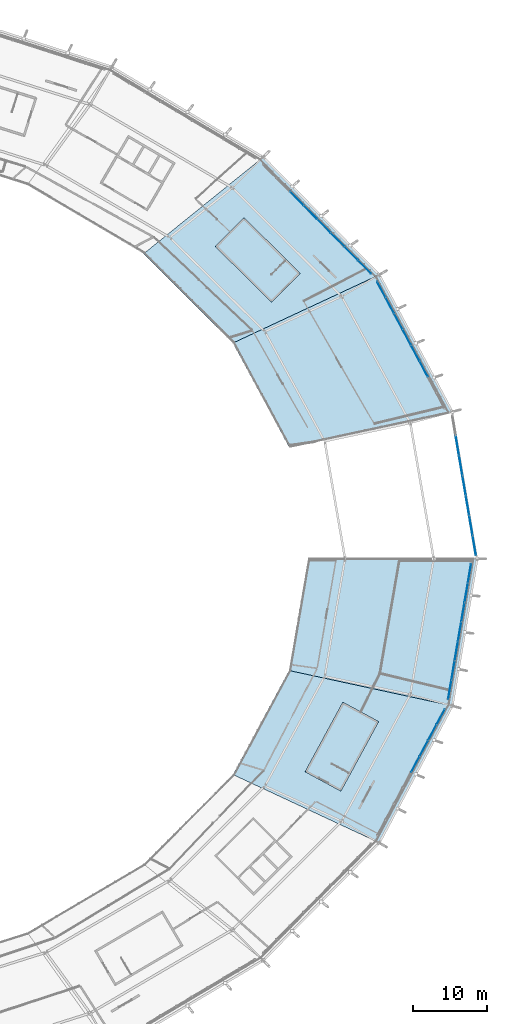
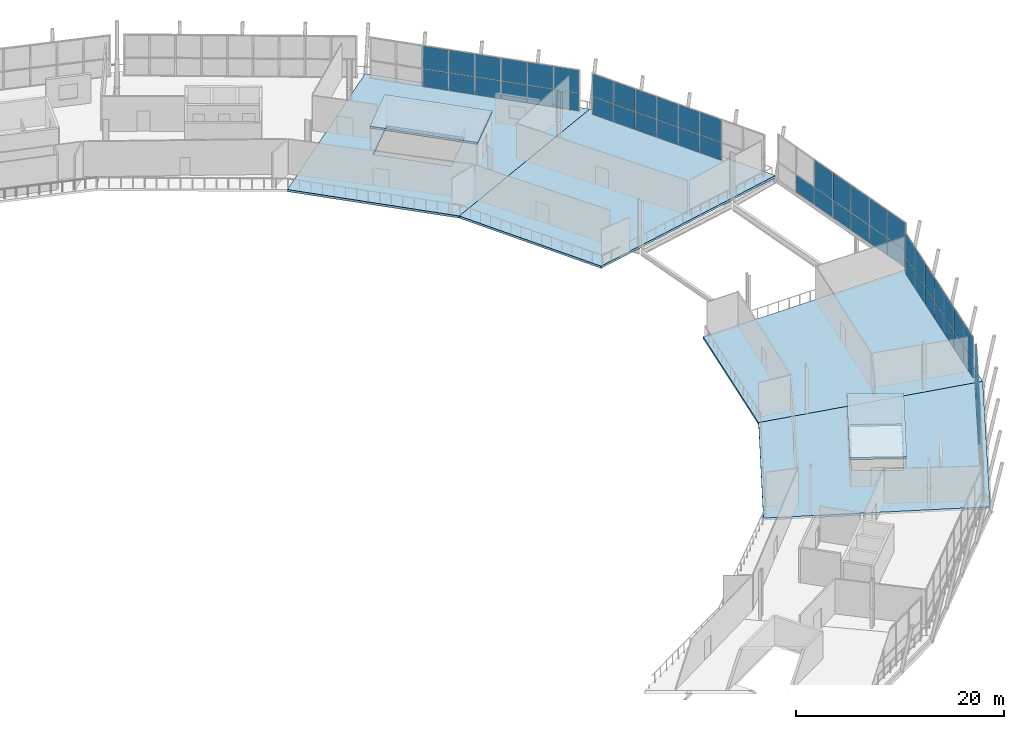
# One storey, part 58 of 99: 57 plates, 6 slabs, 5 elements without a shape of their own.
"""IFC4 building model written with IfcOpenShell, lengths in metres."""

from ifc_helpers import new_model, si_unit, direction, frame, origin, origin_2d, place, context, subcontext, project, spatial, polyline, rectangle, outline, extrude, material, layer, layer_set, type_object, element, aggregate, save


model = new_model("IFC4")

# Units and contexts
model_context = context("Model", 3, precision=1e-05, world=origin(), true_north=direction((0.0, 1.0)))
body_context = subcontext(model_context, "Body", "Model", "MODEL_VIEW")
ifc_project = project(units=[si_unit("LENGTHUNIT", "METRE"), si_unit("AREAUNIT", "SQUARE_METRE"), si_unit("VOLUMEUNIT", "CUBIC_METRE"), si_unit("PLANEANGLEUNIT", "RADIAN"), si_unit("MASSUNIT", "GRAM", prefix="KILO")], contexts=[model_context])

# Site, building, storey
site_placement = place(None, origin())
site = spatial("IfcSite", under=ifc_project, at=site_placement, CompositionType="ELEMENT")
building_placement = place(site_placement, origin())
building = spatial("IfcBuilding", under=site, at=building_placement, Name="Zlatoyarsky Gate Stadium", CompositionType="ELEMENT")
storey_placement = place(building_placement, frame((0.0, 0.0, 26.199951171875)))
storey = spatial("IfcBuildingStorey", under=building, at=storey_placement, Name="L05", CompositionType="ELEMENT", Elevation=26.199951171875)

# Curtain wall, plates
ifc_material_1 = material(Name="Thermally broken anodised aluminium curtain wall", Category="aluminium")
curtain_wall_type_1 = type_object("IfcCurtainWallType", Name="MONUMENTAL ARCHED GATE GLAZING UPPER", PredefinedType="USERDEFINED", material=ifc_material_1)
curtain_wall_1_placement = place(storey_placement, origin())
curtain_wall_1 = element("IfcCurtainWall", 1, at=curtain_wall_1_placement, inside=storey, type_object=curtain_wall_type_1, Name="Curtain wall CW-L05-00", ObjectType="ARCHED GATE GLAZING", PredefinedType="USERDEFINED")
ifc_material_2 = material(Name="Triple-glazed argon low-e architectural glass", Category="glass")
ifc_layer_1 = layer(ifc_material_2, 0.0458984375)
ifc_layer_set_1 = layer_set([ifc_layer_1], Name="Triple-glazed argon low-e architectural glass")
plate_type_1 = type_object("IfcPlateType", Name="ACOUSTIC LAMINATED GATE GLAZING PANEL 46", PredefinedType="CURTAIN_PANEL", material=ifc_layer_set_1)
plate_1_placement = place(storey_placement, frame((209.490234375, 81.818603515625, -0.18505859375), z_axis=(0.0, 0.0, 1.0), x_axis=(-0.166995052945, 0.985957733522, 0.0)))
plate_1 = element("IfcPlate", 2, at=plate_1_placement, type_object=plate_type_1, Name="CW-AG2 panel 1.1", PredefinedType="CURTAIN_PANEL", context=body_context, shape_type="SweptSolid", body=[
    extrude(rectangle(XDim=2.638916015625, YDim=0.0458984375, at=origin_2d()), origin(), (0.0, 0.0, 1.0), 2.03759765625),
])
plate_2_placement = place(storey_placement, frame((209.490234375, 81.818603515625, 1.927490234375), z_axis=(0.0, 0.0, 1.0), x_axis=(-0.166995052945, 0.985957733522, 0.0)))
plate_2 = element("IfcPlate", 3, at=plate_2_placement, type_object=plate_type_1, Name="CW-AG2 panel 1.2", PredefinedType="CURTAIN_PANEL", context=body_context, shape_type="SweptSolid", body=[
    extrude(rectangle(XDim=2.638916015625, YDim=0.0458984375, at=origin_2d()), origin(), (0.0, 0.0, 1.0), 3.1474609375),
])
plate_3_placement = place(storey_placement, frame((209.03369140625, 84.512939453125, -0.18505859375), z_axis=(0.0, 0.0, 1.0), x_axis=(-0.166995052945, 0.985957733522, 0.0)))
plate_3 = element("IfcPlate", 4, at=plate_3_placement, type_object=plate_type_1, Name="CW-AG2 panel 2.1", PredefinedType="CURTAIN_PANEL", context=body_context, shape_type="SweptSolid", body=[
    extrude(rectangle(XDim=2.676513671875, YDim=0.0458984375, at=origin_2d()), origin(), (0.0, 0.0, 1.0), 2.03759765625),
])
plate_4_placement = place(storey_placement, frame((209.03369140625, 84.512939453125, 1.927490234375), z_axis=(0.0, 0.0, 1.0), x_axis=(-0.166995052945, 0.985957733522, 0.0)))
plate_4 = element("IfcPlate", 5, at=plate_4_placement, type_object=plate_type_1, Name="CW-AG2 panel 2.2", PredefinedType="CURTAIN_PANEL", context=body_context, shape_type="SweptSolid", body=[
    extrude(rectangle(XDim=2.676513671875, YDim=0.0458984375, at=origin_2d()), origin(), (0.0, 0.0, 1.0), 3.1474609375),
])
plate_5_placement = place(storey_placement, frame((208.57421875, 87.2255859375, -0.18505859375), z_axis=(0.0, 0.0, 1.0), x_axis=(-0.166995052945, 0.985957733522, 0.0)))
plate_5 = element("IfcPlate", 6, at=plate_5_placement, type_object=plate_type_1, Name="CW-AG2 panel 3.1", PredefinedType="CURTAIN_PANEL", context=body_context, shape_type="SweptSolid", body=[
    extrude(rectangle(XDim=2.676513671875, YDim=0.0458984375, at=origin_2d()), origin(), (0.0, 0.0, 1.0), 2.03759765625),
])
plate_6_placement = place(storey_placement, frame((208.57421875, 87.2255859375, 1.927490234375), z_axis=(0.0, 0.0, 1.0), x_axis=(-0.166995052945, 0.985957733522, 0.0)))
plate_6 = element("IfcPlate", 7, at=plate_6_placement, type_object=plate_type_1, Name="CW-AG2 panel 3.2", PredefinedType="CURTAIN_PANEL", context=body_context, shape_type="SweptSolid", body=[
    extrude(rectangle(XDim=2.676513671875, YDim=0.0458984375, at=origin_2d()), origin(), (0.0, 0.0, 1.0), 3.1474609375),
])
plate_7_placement = place(storey_placement, frame((208.11474609375, 89.9384765625, -0.18505859375), z_axis=(0.0, 0.0, 1.0), x_axis=(-0.166995052945, 0.985957733522, 0.0)))
plate_7 = element("IfcPlate", 8, at=plate_7_placement, type_object=plate_type_1, Name="CW-AG2 panel 4.1", PredefinedType="CURTAIN_PANEL", context=body_context, shape_type="SweptSolid", body=[
    extrude(rectangle(XDim=2.676513671875, YDim=0.0458984375, at=origin_2d()), origin(), (0.0, 0.0, 1.0), 2.03759765625),
])
plate_8_placement = place(storey_placement, frame((208.11474609375, 89.9384765625, 1.927490234375), z_axis=(0.0, 0.0, 1.0), x_axis=(-0.166995052945, 0.985957733522, 0.0)))
plate_8 = element("IfcPlate", 9, at=plate_8_placement, type_object=plate_type_1, Name="CW-AG2 panel 4.2", PredefinedType="CURTAIN_PANEL", context=body_context, shape_type="SweptSolid", body=[
    extrude(rectangle(XDim=2.676513671875, YDim=0.0458984375, at=origin_2d()), origin(), (0.0, 0.0, 1.0), 3.1474609375),
])
plate_9_placement = place(storey_placement, frame((207.6552734375, 92.651123046875, -0.18505859375), z_axis=(0.0, 0.0, 1.0), x_axis=(-0.166995052945, 0.985957733522, 0.0)))
plate_9 = element("IfcPlate", 10, at=plate_9_placement, type_object=plate_type_1, Name="CW-AG2 panel 5.1", PredefinedType="CURTAIN_PANEL", context=body_context, shape_type="SweptSolid", body=[
    extrude(rectangle(XDim=2.676513671875, YDim=0.0458984375, at=origin_2d()), origin(), (0.0, 0.0, 1.0), 2.03759765625),
])
plate_10_placement = place(storey_placement, frame((207.6552734375, 92.651123046875, 1.927490234375), z_axis=(0.0, 0.0, 1.0), x_axis=(-0.166995052945, 0.985957733522, 0.0)))
plate_10 = element("IfcPlate", 11, at=plate_10_placement, type_object=plate_type_1, Name="CW-AG2 panel 5.2", PredefinedType="CURTAIN_PANEL", context=body_context, shape_type="SweptSolid", body=[
    extrude(rectangle(XDim=2.676513671875, YDim=0.0458984375, at=origin_2d()), origin(), (0.0, 0.0, 1.0), 3.1474609375),
])
plate_11_placement = place(storey_placement, frame((207.19580078125, 95.364013671875, -0.18505859375), z_axis=(0.0, 0.0, 1.0), x_axis=(-0.166995052945, 0.985957733522, 0.0)))
plate_11 = element("IfcPlate", 12, at=plate_11_placement, type_object=plate_type_1, Name="CW-AG2 panel 6.1", PredefinedType="CURTAIN_PANEL", context=body_context, shape_type="SweptSolid", body=[
    extrude(rectangle(XDim=2.676513671875, YDim=0.0458984375, at=origin_2d()), origin(), (0.0, 0.0, 1.0), 2.03759765625),
])
aggregate(curtain_wall_1, [plate_1, plate_2, plate_3, plate_4, plate_5, plate_6, plate_7, plate_8, plate_9, plate_10, plate_11])

# Slabs
ifc_material_3 = material(Name="Concrete C40/50", Category="concrete")
ifc_layer_2 = layer(ifc_material_3, 0.239990234375)
ifc_layer_set_2 = layer_set([ifc_layer_2], Name="Concrete C40/50")
slab_type_1 = type_object("IfcSlabType", Name="CONCRETE CORE TOP CAP SLAB 240", PredefinedType="ROOF", material=ifc_layer_set_2)
slab_1_placement = place(storey_placement, frame((0.0, 0.0, 3.199951171875)))
element("IfcSlab", 13, at=slab_1_placement, inside=storey, type_object=slab_type_1, Name="ST-02 stair headhouse roof cap", PredefinedType="ROOF", context=body_context, shape_type="SweptSolid", body=[
    extrude(outline(polyline([(185.91845703125, 118.6201171875), (178.333251953125, 126.1669921875), (174.4541015625, 122.26806640625), (182.039306640625, 114.72119140625), (185.91845703125, 118.6201171875)])), origin(), (0.0, 0.0, 1.0), 0.239990234375),
])
slab_2_placement = place(storey_placement, frame((0.0, 0.0, 3.199951171875)))
element("IfcSlab", 14, at=slab_2_placement, inside=storey, type_object=slab_type_1, Name="ST-12 stair headhouse roof cap", PredefinedType="ROOF", context=body_context, shape_type="SweptSolid", body=[
    extrude(outline(polyline([(191.43505859375, 48.561767578125), (196.537841796875, 57.966796875), (191.703369140625, 60.589599609375), (186.600830078125, 51.184814453125), (191.43505859375, 48.561767578125)])), origin(), (0.0, 0.0, 1.0), 0.239990234375),
])
ifc_layer_3 = layer(ifc_material_3, 0.260009765625)
ifc_layer_set_3 = layer_set([ifc_layer_3], Name="Concrete C40/50")
slab_type_2 = type_object("IfcSlabType", Name="CONCRETE SKYBOX SLAB 260", PredefinedType="FLOOR", material=ifc_layer_set_3)
slab_3_placement = place(storey_placement, frame((0.0, 0.0, -0.260009765625)))
element("IfcSlab", 15, at=slab_3_placement, inside=storey, type_object=slab_type_2, Name="L05 bowl sector 01 slab", PredefinedType="FLOOR", context=body_context, shape_type="SweptSolid", body=[
    extrude(outline(polyline([(176.81787109375, 109.199951171875), (196.630859375, 118.43896484375), (206.5087890625, 99.8974609375), (184.410400390625, 95.114990234375), (176.81787109375, 109.199951171875)])), origin(), (0.0, 0.0, 1.0), 0.260009765625),
])
slab_4_placement = place(storey_placement, frame((0.0, 0.0, -0.260009765625)))
element("IfcSlab", 16, at=slab_4_placement, inside=storey, type_object=slab_type_2, Name="L05 bowl sector 02 slab", PredefinedType="FLOOR", context=body_context, shape_type="SweptSolid", body=[
    extrude(outline(polyline([(164.739990234375, 121.294921875), (180.91748046875, 134.361083984375), (196.630859375, 118.43896484375), (176.81787109375, 109.199951171875), (164.739990234375, 121.294921875)]), holes=[polyline([(178.334228515625, 125.8134765625), (174.8076171875, 122.268798828125), (180.3017578125, 116.802734375), (183.828125, 120.347412109375), (178.334228515625, 125.8134765625)])]), origin(), (0.0, 0.0, 1.0), 0.260009765625),
])
slab_5_placement = place(storey_placement, frame((0.0, 0.0, -0.260009765625)))
element("IfcSlab", 17, at=slab_5_placement, inside=storey, type_object=slab_type_2, Name="L05 bowl sector 22 slab", PredefinedType="FLOOR", context=body_context, shape_type="SweptSolid", body=[
    extrude(outline(polyline([(184.410400390625, 64.885009765625), (206.5087890625, 60.1025390625), (196.630859375, 41.560791015625), (176.81787109375, 50.800048828125), (184.410400390625, 64.885009765625)]), holes=[polyline([(192.5029296875, 51.05419921875), (196.19873046875, 57.8662109375), (191.803955078125, 60.250732421875), (188.108154296875, 53.438720703125), (192.5029296875, 51.05419921875)])]), origin(), (0.0, 0.0, 1.0), 0.260009765625),
])
slab_6_placement = place(storey_placement, frame((0.0, 0.0, -0.260009765625)))
element("IfcSlab", 18, at=slab_6_placement, inside=storey, type_object=slab_type_2, Name="L05 bowl sector 23 slab", PredefinedType="FLOOR", context=body_context, shape_type="SweptSolid", body=[
    extrude(outline(polyline([(187.0, 80.0), (209.878173828125, 80.0), (206.5087890625, 60.1025390625), (184.410400390625, 64.885009765625), (187.0, 80.0)])), origin(), (0.0, 0.0, 1.0), 0.260009765625),
])

# Curtain wall, plates
curtain_wall_type_2 = type_object("IfcCurtainWallType", Name="UNITISED SKYBOX RING GLAZING L05", PredefinedType="USERDEFINED", material=ifc_material_1)
curtain_wall_2_placement = place(storey_placement, origin())
curtain_wall_2 = element("IfcCurtainWall", 19, at=curtain_wall_2_placement, inside=storey, type_object=curtain_wall_type_2, Name="Curtain wall CW-L05-01", ObjectType="UNITISED GLAZING", PredefinedType="USERDEFINED")
ifc_layer_4 = layer(ifc_material_2, 0.0380859375)
ifc_layer_set_4 = layer_set([ifc_layer_4], Name="Triple-glazed argon low-e architectural glass")
plate_type_2 = type_object("IfcPlateType", Name="TRIPLE GLAZED LOW E CURTAIN PANEL 38", PredefinedType="CURTAIN_PANEL", material=ifc_layer_set_4)
plate_12_placement = place(storey_placement, frame((202.653076171875, 105.6728515625, 0.06494140625), z_axis=(0.0, 0.0, 1.0), x_axis=(-0.470937199667, 0.882166738191, 0.0)))
plate_12 = element("IfcPlate", 20, at=plate_12_placement, type_object=plate_type_2, Name="CW-UG5 panel 3.1", PredefinedType="CURTAIN_PANEL", context=body_context, shape_type="SweptSolid", body=[
    extrude(rectangle(XDim=2.375732421875, YDim=0.0380859375, at=origin_2d()), origin(), (0.0, 0.0, 1.0), 2.052490234375),
])
plate_13_placement = place(storey_placement, frame((202.653076171875, 105.6728515625, 2.1826171875), z_axis=(0.0, 0.0, 1.0), x_axis=(-0.470937199667, 0.882166738191, 0.0)))
plate_13 = element("IfcPlate", 21, at=plate_13_placement, type_object=plate_type_2, Name="CW-UG5 panel 3.2", PredefinedType="CURTAIN_PANEL", context=body_context, shape_type="SweptSolid", body=[
    extrude(rectangle(XDim=2.375732421875, YDim=0.0380859375, at=origin_2d()), origin(), (0.0, 0.0, 1.0), 2.632568359375),
])
plate_14_placement = place(storey_placement, frame((201.50341796875, 107.825927734375, 0.06494140625), z_axis=(0.0, 0.0, 1.0), x_axis=(-0.470937199667, 0.882166738191, 0.0)))
plate_14 = element("IfcPlate", 22, at=plate_14_placement, type_object=plate_type_2, Name="CW-UG5 panel 4.1", PredefinedType="CURTAIN_PANEL", context=body_context, shape_type="SweptSolid", body=[
    extrude(rectangle(XDim=2.375732421875, YDim=0.0380859375, at=origin_2d()), origin(), (0.0, 0.0, 1.0), 2.052490234375),
])
plate_15_placement = place(storey_placement, frame((201.50341796875, 107.825927734375, 2.1826171875), z_axis=(0.0, 0.0, 1.0), x_axis=(-0.470937199667, 0.882166738191, 0.0)))
plate_15 = element("IfcPlate", 23, at=plate_15_placement, type_object=plate_type_2, Name="CW-UG5 panel 4.2", PredefinedType="CURTAIN_PANEL", context=body_context, shape_type="SweptSolid", body=[
    extrude(rectangle(XDim=2.375732421875, YDim=0.0380859375, at=origin_2d()), origin(), (0.0, 0.0, 1.0), 2.632568359375),
])
plate_16_placement = place(storey_placement, frame((200.35400390625, 109.979248046875, 0.06494140625), z_axis=(0.0, 0.0, 1.0), x_axis=(-0.470937199667, 0.882166738191, 0.0)))
plate_16 = element("IfcPlate", 24, at=plate_16_placement, type_object=plate_type_2, Name="CW-UG5 panel 5.1", PredefinedType="CURTAIN_PANEL", context=body_context, shape_type="SweptSolid", body=[
    extrude(rectangle(XDim=2.375732421875, YDim=0.0380859375, at=origin_2d()), origin(), (0.0, 0.0, 1.0), 2.052490234375),
])
plate_17_placement = place(storey_placement, frame((200.35400390625, 109.979248046875, 2.1826171875), z_axis=(0.0, 0.0, 1.0), x_axis=(-0.470937199667, 0.882166738191, 0.0)))
plate_17 = element("IfcPlate", 25, at=plate_17_placement, type_object=plate_type_2, Name="CW-UG5 panel 5.2", PredefinedType="CURTAIN_PANEL", context=body_context, shape_type="SweptSolid", body=[
    extrude(rectangle(XDim=2.375732421875, YDim=0.0380859375, at=origin_2d()), origin(), (0.0, 0.0, 1.0), 2.632568359375),
])
plate_18_placement = place(storey_placement, frame((199.20458984375, 112.132568359375, 0.06494140625), z_axis=(0.0, 0.0, 1.0), x_axis=(-0.470937199667, 0.882166738191, 0.0)))
plate_18 = element("IfcPlate", 26, at=plate_18_placement, type_object=plate_type_2, Name="CW-UG5 panel 6.1", PredefinedType="CURTAIN_PANEL", context=body_context, shape_type="SweptSolid", body=[
    extrude(rectangle(XDim=2.375732421875, YDim=0.0380859375, at=origin_2d()), origin(), (0.0, 0.0, 1.0), 2.052490234375),
])
plate_19_placement = place(storey_placement, frame((199.20458984375, 112.132568359375, 2.1826171875), z_axis=(0.0, 0.0, 1.0), x_axis=(-0.470937199667, 0.882166738191, 0.0)))
plate_19 = element("IfcPlate", 27, at=plate_19_placement, type_object=plate_type_2, Name="CW-UG5 panel 6.2", PredefinedType="CURTAIN_PANEL", context=body_context, shape_type="SweptSolid", body=[
    extrude(rectangle(XDim=2.375732421875, YDim=0.0380859375, at=origin_2d()), origin(), (0.0, 0.0, 1.0), 2.632568359375),
])
plate_20_placement = place(storey_placement, frame((198.054931640625, 114.28564453125, 0.06494140625), z_axis=(0.0, 0.0, 1.0), x_axis=(-0.470937199667, 0.882166738191, 0.0)))
plate_20 = element("IfcPlate", 28, at=plate_20_placement, type_object=plate_type_2, Name="CW-UG5 panel 7.1", PredefinedType="CURTAIN_PANEL", context=body_context, shape_type="SweptSolid", body=[
    extrude(rectangle(XDim=2.375732421875, YDim=0.0380859375, at=origin_2d()), origin(), (0.0, 0.0, 1.0), 2.052490234375),
])
plate_21_placement = place(storey_placement, frame((198.054931640625, 114.28564453125, 2.1826171875), z_axis=(0.0, 0.0, 1.0), x_axis=(-0.470937199667, 0.882166738191, 0.0)))
plate_21 = element("IfcPlate", 29, at=plate_21_placement, type_object=plate_type_2, Name="CW-UG5 panel 7.2", PredefinedType="CURTAIN_PANEL", context=body_context, shape_type="SweptSolid", body=[
    extrude(rectangle(XDim=2.375732421875, YDim=0.0380859375, at=origin_2d()), origin(), (0.0, 0.0, 1.0), 2.632568359375),
])
plate_22_placement = place(storey_placement, frame((196.9130859375, 116.424560546875, 0.06494140625), z_axis=(0.0, 0.0, 1.0), x_axis=(-0.470937199667, 0.882166738191, 0.0)))
plate_22 = element("IfcPlate", 30, at=plate_22_placement, type_object=plate_type_2, Name="CW-UG5 panel 8.1", PredefinedType="CURTAIN_PANEL", context=body_context, shape_type="SweptSolid", body=[
    extrude(rectangle(XDim=2.34326171875, YDim=0.0380859375, at=origin_2d()), origin(), (0.0, 0.0, 1.0), 2.052490234375),
])
plate_23_placement = place(storey_placement, frame((196.9130859375, 116.424560546875, 2.1826171875), z_axis=(0.0, 0.0, 1.0), x_axis=(-0.470937199667, 0.882166738191, 0.0)))
plate_23 = element("IfcPlate", 31, at=plate_23_placement, type_object=plate_type_2, Name="CW-UG5 panel 8.2", PredefinedType="CURTAIN_PANEL", context=body_context, shape_type="SweptSolid", body=[
    extrude(rectangle(XDim=2.34326171875, YDim=0.0380859375, at=origin_2d()), origin(), (0.0, 0.0, 1.0), 2.632568359375),
])
aggregate(curtain_wall_2, [plate_12, plate_13, plate_14, plate_15, plate_16, plate_17, plate_18, plate_19, plate_20, plate_21, plate_22, plate_23])

curtain_wall_3_placement = place(storey_placement, origin())
curtain_wall_3 = element("IfcCurtainWall", 32, at=curtain_wall_3_placement, inside=storey, type_object=curtain_wall_type_2, Name="Curtain wall CW-L05-02", ObjectType="UNITISED GLAZING", PredefinedType="USERDEFINED")
plate_24_placement = place(storey_placement, frame((194.63818359375, 119.490966796875, 0.06494140625), z_axis=(0.0, 0.0, 1.0), x_axis=(-0.70315589898, 0.711035710587, 0.0)))
plate_24 = element("IfcPlate", 33, at=plate_24_placement, type_object=plate_type_2, Name="CW-UG5 panel 1.1", PredefinedType="CURTAIN_PANEL", context=body_context, shape_type="SweptSolid", body=[
    extrude(rectangle(XDim=2.513671875, YDim=0.0380859375, at=origin_2d()), origin(), (0.0, 0.0, 1.0), 2.052490234375),
])
plate_25_placement = place(storey_placement, frame((194.63818359375, 119.490966796875, 2.1826171875), z_axis=(0.0, 0.0, 1.0), x_axis=(-0.70315589898, 0.711035710587, 0.0)))
plate_25 = element("IfcPlate", 34, at=plate_25_placement, type_object=plate_type_2, Name="CW-UG5 panel 1.2", PredefinedType="CURTAIN_PANEL", context=body_context, shape_type="SweptSolid", body=[
    extrude(rectangle(XDim=2.513671875, YDim=0.0380859375, at=origin_2d()), origin(), (0.0, 0.0, 1.0), 2.632568359375),
])
plate_26_placement = place(storey_placement, frame((192.8134765625, 121.336181640625, 0.06494140625), z_axis=(0.0, 0.0, 1.0), x_axis=(-0.70315589898, 0.711035710587, 0.0)))
plate_26 = element("IfcPlate", 35, at=plate_26_placement, type_object=plate_type_2, Name="CW-UG5 panel 2.1", PredefinedType="CURTAIN_PANEL", context=body_context, shape_type="SweptSolid", body=[
    extrude(rectangle(XDim=2.546142578125, YDim=0.0380859375, at=origin_2d()), origin(), (0.0, 0.0, 1.0), 2.052490234375),
])
plate_27_placement = place(storey_placement, frame((192.8134765625, 121.336181640625, 2.1826171875), z_axis=(0.0, 0.0, 1.0), x_axis=(-0.70315589898, 0.711035710587, 0.0)))
plate_27 = element("IfcPlate", 36, at=plate_27_placement, type_object=plate_type_2, Name="CW-UG5 panel 2.2", PredefinedType="CURTAIN_PANEL", context=body_context, shape_type="SweptSolid", body=[
    extrude(rectangle(XDim=2.546142578125, YDim=0.0380859375, at=origin_2d()), origin(), (0.0, 0.0, 1.0), 2.632568359375),
])
plate_28_placement = place(storey_placement, frame((190.9775390625, 123.192626953125, 0.06494140625), z_axis=(0.0, 0.0, 1.0), x_axis=(-0.70315589898, 0.711035710587, 0.0)))
plate_28 = element("IfcPlate", 37, at=plate_28_placement, type_object=plate_type_2, Name="CW-UG5 panel 3.1", PredefinedType="CURTAIN_PANEL", context=body_context, shape_type="SweptSolid", body=[
    extrude(rectangle(XDim=2.546142578125, YDim=0.0380859375, at=origin_2d()), origin(), (0.0, 0.0, 1.0), 2.052490234375),
])
plate_29_placement = place(storey_placement, frame((190.9775390625, 123.192626953125, 2.1826171875), z_axis=(0.0, 0.0, 1.0), x_axis=(-0.70315589898, 0.711035710587, 0.0)))
plate_29 = element("IfcPlate", 38, at=plate_29_placement, type_object=plate_type_2, Name="CW-UG5 panel 3.2", PredefinedType="CURTAIN_PANEL", context=body_context, shape_type="SweptSolid", body=[
    extrude(rectangle(XDim=2.546142578125, YDim=0.0380859375, at=origin_2d()), origin(), (0.0, 0.0, 1.0), 2.632568359375),
])
plate_30_placement = place(storey_placement, frame((189.1416015625, 125.04931640625, 0.06494140625), z_axis=(0.0, 0.0, 1.0), x_axis=(-0.70315589898, 0.711035710587, 0.0)))
plate_30 = element("IfcPlate", 39, at=plate_30_placement, type_object=plate_type_2, Name="CW-UG5 panel 4.1", PredefinedType="CURTAIN_PANEL", context=body_context, shape_type="SweptSolid", body=[
    extrude(rectangle(XDim=2.546142578125, YDim=0.0380859375, at=origin_2d()), origin(), (0.0, 0.0, 1.0), 2.052490234375),
])
plate_31_placement = place(storey_placement, frame((189.1416015625, 125.04931640625, 2.1826171875), z_axis=(0.0, 0.0, 1.0), x_axis=(-0.70315589898, 0.711035710587, 0.0)))
plate_31 = element("IfcPlate", 40, at=plate_31_placement, type_object=plate_type_2, Name="CW-UG5 panel 4.2", PredefinedType="CURTAIN_PANEL", context=body_context, shape_type="SweptSolid", body=[
    extrude(rectangle(XDim=2.546142578125, YDim=0.0380859375, at=origin_2d()), origin(), (0.0, 0.0, 1.0), 2.632568359375),
])
plate_32_placement = place(storey_placement, frame((187.3056640625, 126.90576171875, 0.06494140625), z_axis=(0.0, 0.0, 1.0), x_axis=(-0.70315589898, 0.711035710587, 0.0)))
plate_32 = element("IfcPlate", 41, at=plate_32_placement, type_object=plate_type_2, Name="CW-UG5 panel 5.1", PredefinedType="CURTAIN_PANEL", context=body_context, shape_type="SweptSolid", body=[
    extrude(rectangle(XDim=2.546142578125, YDim=0.0380859375, at=origin_2d()), origin(), (0.0, 0.0, 1.0), 2.052490234375),
])
plate_33_placement = place(storey_placement, frame((187.3056640625, 126.90576171875, 2.1826171875), z_axis=(0.0, 0.0, 1.0), x_axis=(-0.70315589898, 0.711035710587, 0.0)))
plate_33 = element("IfcPlate", 42, at=plate_33_placement, type_object=plate_type_2, Name="CW-UG5 panel 5.2", PredefinedType="CURTAIN_PANEL", context=body_context, shape_type="SweptSolid", body=[
    extrude(rectangle(XDim=2.546142578125, YDim=0.0380859375, at=origin_2d()), origin(), (0.0, 0.0, 1.0), 2.632568359375),
])
plate_34_placement = place(storey_placement, frame((185.469482421875, 128.762451171875, 0.06494140625), z_axis=(0.0, 0.0, 1.0), x_axis=(-0.70315589898, 0.711035710587, 0.0)))
plate_34 = element("IfcPlate", 43, at=plate_34_placement, type_object=plate_type_2, Name="CW-UG5 panel 6.1", PredefinedType="CURTAIN_PANEL", context=body_context, shape_type="SweptSolid", body=[
    extrude(rectangle(XDim=2.546142578125, YDim=0.0380859375, at=origin_2d()), origin(), (0.0, 0.0, 1.0), 2.052490234375),
])
plate_35_placement = place(storey_placement, frame((185.469482421875, 128.762451171875, 2.1826171875), z_axis=(0.0, 0.0, 1.0), x_axis=(-0.70315589898, 0.711035710587, 0.0)))
plate_35 = element("IfcPlate", 44, at=plate_35_placement, type_object=plate_type_2, Name="CW-UG5 panel 6.2", PredefinedType="CURTAIN_PANEL", context=body_context, shape_type="SweptSolid", body=[
    extrude(rectangle(XDim=2.546142578125, YDim=0.0380859375, at=origin_2d()), origin(), (0.0, 0.0, 1.0), 2.632568359375),
])
aggregate(curtain_wall_3, [plate_24, plate_25, plate_26, plate_27, plate_28, plate_29, plate_30, plate_31, plate_32, plate_33, plate_34, plate_35])

curtain_wall_4_placement = place(storey_placement, origin())
curtain_wall_4 = element("IfcCurtainWall", 45, at=curtain_wall_4_placement, inside=storey, type_object=curtain_wall_type_2, Name="Curtain wall CW-L05-22", ObjectType="UNITISED GLAZING", PredefinedType="USERDEFINED")
plate_36_placement = place(storey_placement, frame((201.50341796875, 52.173828125, 0.06494140625), z_axis=(0.0, 0.0, 1.0), x_axis=(0.470935072117, 0.882167873962, 0.0)))
plate_36 = element("IfcPlate", 46, at=plate_36_placement, type_object=plate_type_2, Name="CW-UG5 panel 5.1", PredefinedType="CURTAIN_PANEL", context=body_context, shape_type="SweptSolid", body=[
    extrude(rectangle(XDim=2.3759765625, YDim=0.0380859375, at=origin_2d()), origin(), (0.0, 0.0, 1.0), 2.052490234375),
])
plate_37_placement = place(storey_placement, frame((201.50341796875, 52.173828125, 2.1826171875), z_axis=(0.0, 0.0, 1.0), x_axis=(0.470935072117, 0.882167873962, 0.0)))
plate_37 = element("IfcPlate", 47, at=plate_37_placement, type_object=plate_type_2, Name="CW-UG5 panel 5.2", PredefinedType="CURTAIN_PANEL", context=body_context, shape_type="SweptSolid", body=[
    extrude(rectangle(XDim=2.3759765625, YDim=0.0380859375, at=origin_2d()), origin(), (0.0, 0.0, 1.0), 2.632568359375),
])
plate_38_placement = place(storey_placement, frame((202.653076171875, 54.3271484375, 0.06494140625), z_axis=(0.0, 0.0, 1.0), x_axis=(0.470935072117, 0.882167873962, 0.0)))
plate_38 = element("IfcPlate", 48, at=plate_38_placement, type_object=plate_type_2, Name="CW-UG5 panel 6.1", PredefinedType="CURTAIN_PANEL", context=body_context, shape_type="SweptSolid", body=[
    extrude(rectangle(XDim=2.3759765625, YDim=0.0380859375, at=origin_2d()), origin(), (0.0, 0.0, 1.0), 2.052490234375),
])
plate_39_placement = place(storey_placement, frame((202.653076171875, 54.3271484375, 2.1826171875), z_axis=(0.0, 0.0, 1.0), x_axis=(0.470935072117, 0.882167873962, 0.0)))
plate_39 = element("IfcPlate", 49, at=plate_39_placement, type_object=plate_type_2, Name="CW-UG5 panel 6.2", PredefinedType="CURTAIN_PANEL", context=body_context, shape_type="SweptSolid", body=[
    extrude(rectangle(XDim=2.3759765625, YDim=0.0380859375, at=origin_2d()), origin(), (0.0, 0.0, 1.0), 2.632568359375),
])
plate_40_placement = place(storey_placement, frame((203.802490234375, 56.48046875, 0.06494140625), z_axis=(0.0, 0.0, 1.0), x_axis=(0.470935072117, 0.882167873962, 0.0)))
plate_40 = element("IfcPlate", 50, at=plate_40_placement, type_object=plate_type_2, Name="CW-UG5 panel 7.1", PredefinedType="CURTAIN_PANEL", context=body_context, shape_type="SweptSolid", body=[
    extrude(rectangle(XDim=2.3759765625, YDim=0.0380859375, at=origin_2d()), origin(), (0.0, 0.0, 1.0), 2.052490234375),
])
plate_41_placement = place(storey_placement, frame((203.802490234375, 56.48046875, 2.1826171875), z_axis=(0.0, 0.0, 1.0), x_axis=(0.470935072117, 0.882167873962, 0.0)))
plate_41 = element("IfcPlate", 51, at=plate_41_placement, type_object=plate_type_2, Name="CW-UG5 panel 7.2", PredefinedType="CURTAIN_PANEL", context=body_context, shape_type="SweptSolid", body=[
    extrude(rectangle(XDim=2.3759765625, YDim=0.0380859375, at=origin_2d()), origin(), (0.0, 0.0, 1.0), 2.632568359375),
])
plate_42_placement = place(storey_placement, frame((204.9443359375, 58.619384765625, 0.06494140625), z_axis=(0.0, 0.0, 1.0), x_axis=(0.470935072117, 0.882167873962, 0.0)))
plate_42 = element("IfcPlate", 52, at=plate_42_placement, type_object=plate_type_2, Name="CW-UG5 panel 8.1", PredefinedType="CURTAIN_PANEL", context=body_context, shape_type="SweptSolid", body=[
    extrude(rectangle(XDim=2.34326171875, YDim=0.0380859375, at=origin_2d()), origin(), (0.0, 0.0, 1.0), 2.052490234375),
])
plate_43_placement = place(storey_placement, frame((204.9443359375, 58.619384765625, 2.1826171875), z_axis=(0.0, 0.0, 1.0), x_axis=(0.470935072117, 0.882167873962, 0.0)))
plate_43 = element("IfcPlate", 53, at=plate_43_placement, type_object=plate_type_2, Name="CW-UG5 panel 8.2", PredefinedType="CURTAIN_PANEL", context=body_context, shape_type="SweptSolid", body=[
    extrude(rectangle(XDim=2.34326171875, YDim=0.0380859375, at=origin_2d()), origin(), (0.0, 0.0, 1.0), 2.632568359375),
])
aggregate(curtain_wall_4, [plate_36, plate_37, plate_38, plate_39, plate_40, plate_41, plate_42, plate_43])

curtain_wall_5_placement = place(storey_placement, origin())
curtain_wall_5 = element("IfcCurtainWall", 54, at=curtain_wall_5_placement, inside=storey, type_object=curtain_wall_type_2, Name="Curtain wall CW-L05-23", ObjectType="UNITISED GLAZING", PredefinedType="USERDEFINED")
plate_44_placement = place(storey_placement, frame((206.167724609375, 62.25732421875, 0.06494140625), z_axis=(0.0, 0.0, 1.0), x_axis=(0.167283663824, 0.985908807049, 0.0)))
plate_44 = element("IfcPlate", 55, at=plate_44_placement, type_object=plate_type_2, Name="CW-UG5 panel 1.1", PredefinedType="CURTAIN_PANEL", context=body_context, shape_type="SweptSolid", body=[
    extrude(rectangle(XDim=2.57373046875, YDim=0.0380859375, at=origin_2d()), origin(), (0.0, 0.0, 1.0), 2.052490234375),
])
plate_45_placement = place(storey_placement, frame((206.167724609375, 62.25732421875, 2.1826171875), z_axis=(0.0, 0.0, 1.0), x_axis=(0.167283663824, 0.985908807049, 0.0)))
plate_45 = element("IfcPlate", 56, at=plate_45_placement, type_object=plate_type_2, Name="CW-UG5 panel 1.2", PredefinedType="CURTAIN_PANEL", context=body_context, shape_type="SweptSolid", body=[
    extrude(rectangle(XDim=2.57373046875, YDim=0.0380859375, at=origin_2d()), origin(), (0.0, 0.0, 1.0), 2.632568359375),
])
plate_46_placement = place(storey_placement, frame((206.61181640625, 64.874755859375, 0.06494140625), z_axis=(0.0, 0.0, 1.0), x_axis=(0.167283663824, 0.985908807049, 0.0)))
plate_46 = element("IfcPlate", 57, at=plate_46_placement, type_object=plate_type_2, Name="CW-UG5 panel 2.1", PredefinedType="CURTAIN_PANEL", context=body_context, shape_type="SweptSolid", body=[
    extrude(rectangle(XDim=2.606201171875, YDim=0.0380859375, at=origin_2d()), origin(), (0.0, 0.0, 1.0), 2.052490234375),
])
plate_47_placement = place(storey_placement, frame((206.61181640625, 64.874755859375, 2.1826171875), z_axis=(0.0, 0.0, 1.0), x_axis=(0.167283663824, 0.985908807049, 0.0)))
plate_47 = element("IfcPlate", 58, at=plate_47_placement, type_object=plate_type_2, Name="CW-UG5 panel 2.2", PredefinedType="CURTAIN_PANEL", context=body_context, shape_type="SweptSolid", body=[
    extrude(rectangle(XDim=2.606201171875, YDim=0.0380859375, at=origin_2d()), origin(), (0.0, 0.0, 1.0), 2.632568359375),
])
plate_48_placement = place(storey_placement, frame((207.05859375, 67.50830078125, 0.06494140625), z_axis=(0.0, 0.0, 1.0), x_axis=(0.167283663824, 0.985908807049, 0.0)))
plate_48 = element("IfcPlate", 59, at=plate_48_placement, type_object=plate_type_2, Name="CW-UG5 panel 3.1", PredefinedType="CURTAIN_PANEL", context=body_context, shape_type="SweptSolid", body=[
    extrude(rectangle(XDim=2.606201171875, YDim=0.0380859375, at=origin_2d()), origin(), (0.0, 0.0, 1.0), 2.052490234375),
])
plate_49_placement = place(storey_placement, frame((207.05859375, 67.50830078125, 2.1826171875), z_axis=(0.0, 0.0, 1.0), x_axis=(0.167283663824, 0.985908807049, 0.0)))
plate_49 = element("IfcPlate", 60, at=plate_49_placement, type_object=plate_type_2, Name="CW-UG5 panel 3.2", PredefinedType="CURTAIN_PANEL", context=body_context, shape_type="SweptSolid", body=[
    extrude(rectangle(XDim=2.606201171875, YDim=0.0380859375, at=origin_2d()), origin(), (0.0, 0.0, 1.0), 2.632568359375),
])
plate_50_placement = place(storey_placement, frame((207.50537109375, 70.141845703125, 0.06494140625), z_axis=(0.0, 0.0, 1.0), x_axis=(0.167283663824, 0.985908807049, 0.0)))
plate_50 = element("IfcPlate", 61, at=plate_50_placement, type_object=plate_type_2, Name="CW-UG5 panel 4.1", PredefinedType="CURTAIN_PANEL", context=body_context, shape_type="SweptSolid", body=[
    extrude(rectangle(XDim=2.606201171875, YDim=0.0380859375, at=origin_2d()), origin(), (0.0, 0.0, 1.0), 2.052490234375),
])
plate_51_placement = place(storey_placement, frame((207.50537109375, 70.141845703125, 2.1826171875), z_axis=(0.0, 0.0, 1.0), x_axis=(0.167283663824, 0.985908807049, 0.0)))
plate_51 = element("IfcPlate", 62, at=plate_51_placement, type_object=plate_type_2, Name="CW-UG5 panel 4.2", PredefinedType="CURTAIN_PANEL", context=body_context, shape_type="SweptSolid", body=[
    extrude(rectangle(XDim=2.606201171875, YDim=0.0380859375, at=origin_2d()), origin(), (0.0, 0.0, 1.0), 2.632568359375),
])
plate_52_placement = place(storey_placement, frame((207.952392578125, 72.775390625, 0.06494140625), z_axis=(0.0, 0.0, 1.0), x_axis=(0.167283663824, 0.985908807049, 0.0)))
plate_52 = element("IfcPlate", 63, at=plate_52_placement, type_object=plate_type_2, Name="CW-UG5 panel 5.1", PredefinedType="CURTAIN_PANEL", context=body_context, shape_type="SweptSolid", body=[
    extrude(rectangle(XDim=2.606201171875, YDim=0.0380859375, at=origin_2d()), origin(), (0.0, 0.0, 1.0), 2.052490234375),
])
plate_53_placement = place(storey_placement, frame((207.952392578125, 72.775390625, 2.1826171875), z_axis=(0.0, 0.0, 1.0), x_axis=(0.167283663824, 0.985908807049, 0.0)))
plate_53 = element("IfcPlate", 64, at=plate_53_placement, type_object=plate_type_2, Name="CW-UG5 panel 5.2", PredefinedType="CURTAIN_PANEL", context=body_context, shape_type="SweptSolid", body=[
    extrude(rectangle(XDim=2.606201171875, YDim=0.0380859375, at=origin_2d()), origin(), (0.0, 0.0, 1.0), 2.632568359375),
])
plate_54_placement = place(storey_placement, frame((208.399169921875, 75.408935546875, 0.06494140625), z_axis=(0.0, 0.0, 1.0), x_axis=(0.167283663824, 0.985908807049, 0.0)))
plate_54 = element("IfcPlate", 65, at=plate_54_placement, type_object=plate_type_2, Name="CW-UG5 panel 6.1", PredefinedType="CURTAIN_PANEL", context=body_context, shape_type="SweptSolid", body=[
    extrude(rectangle(XDim=2.606201171875, YDim=0.0380859375, at=origin_2d()), origin(), (0.0, 0.0, 1.0), 2.052490234375),
])
plate_55_placement = place(storey_placement, frame((208.399169921875, 75.408935546875, 2.1826171875), z_axis=(0.0, 0.0, 1.0), x_axis=(0.167283663824, 0.985908807049, 0.0)))
plate_55 = element("IfcPlate", 66, at=plate_55_placement, type_object=plate_type_2, Name="CW-UG5 panel 6.2", PredefinedType="CURTAIN_PANEL", context=body_context, shape_type="SweptSolid", body=[
    extrude(rectangle(XDim=2.606201171875, YDim=0.0380859375, at=origin_2d()), origin(), (0.0, 0.0, 1.0), 2.632568359375),
])
plate_56_placement = place(storey_placement, frame((208.84326171875, 78.0263671875, 0.06494140625), z_axis=(0.0, 0.0, 1.0), x_axis=(0.167283663824, 0.985908807049, 0.0)))
plate_56 = element("IfcPlate", 67, at=plate_56_placement, type_object=plate_type_2, Name="CW-UG5 panel 7.1", PredefinedType="CURTAIN_PANEL", context=body_context, shape_type="SweptSolid", body=[
    extrude(rectangle(XDim=2.57373046875, YDim=0.0380859375, at=origin_2d()), origin(), (0.0, 0.0, 1.0), 2.052490234375),
])
plate_57_placement = place(storey_placement, frame((208.84326171875, 78.0263671875, 2.1826171875), z_axis=(0.0, 0.0, 1.0), x_axis=(0.167283663824, 0.985908807049, 0.0)))
plate_57 = element("IfcPlate", 68, at=plate_57_placement, type_object=plate_type_2, Name="CW-UG5 panel 7.2", PredefinedType="CURTAIN_PANEL", context=body_context, shape_type="SweptSolid", body=[
    extrude(rectangle(XDim=2.57373046875, YDim=0.0380859375, at=origin_2d()), origin(), (0.0, 0.0, 1.0), 2.632568359375),
])
aggregate(curtain_wall_5, [plate_44, plate_45, plate_46, plate_47, plate_48, plate_49, plate_50, plate_51, plate_52, plate_53, plate_54, plate_55, plate_56, plate_57])

save(model, "model.ifc")
